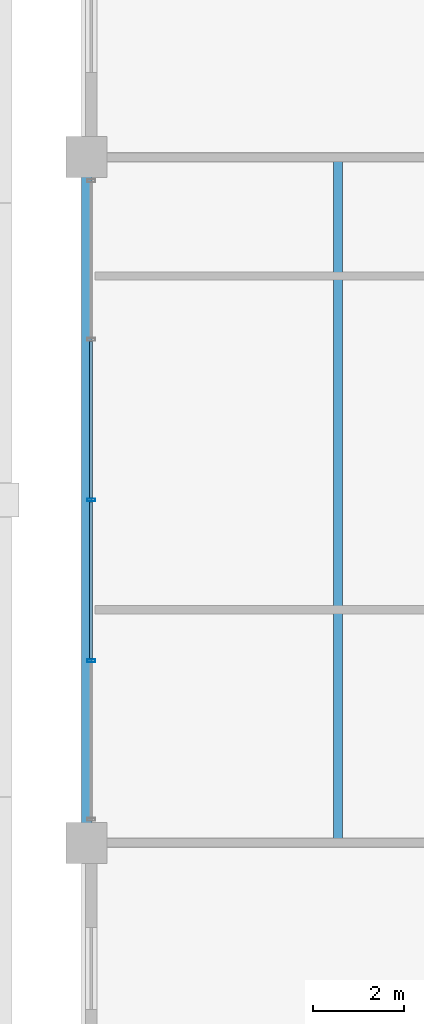
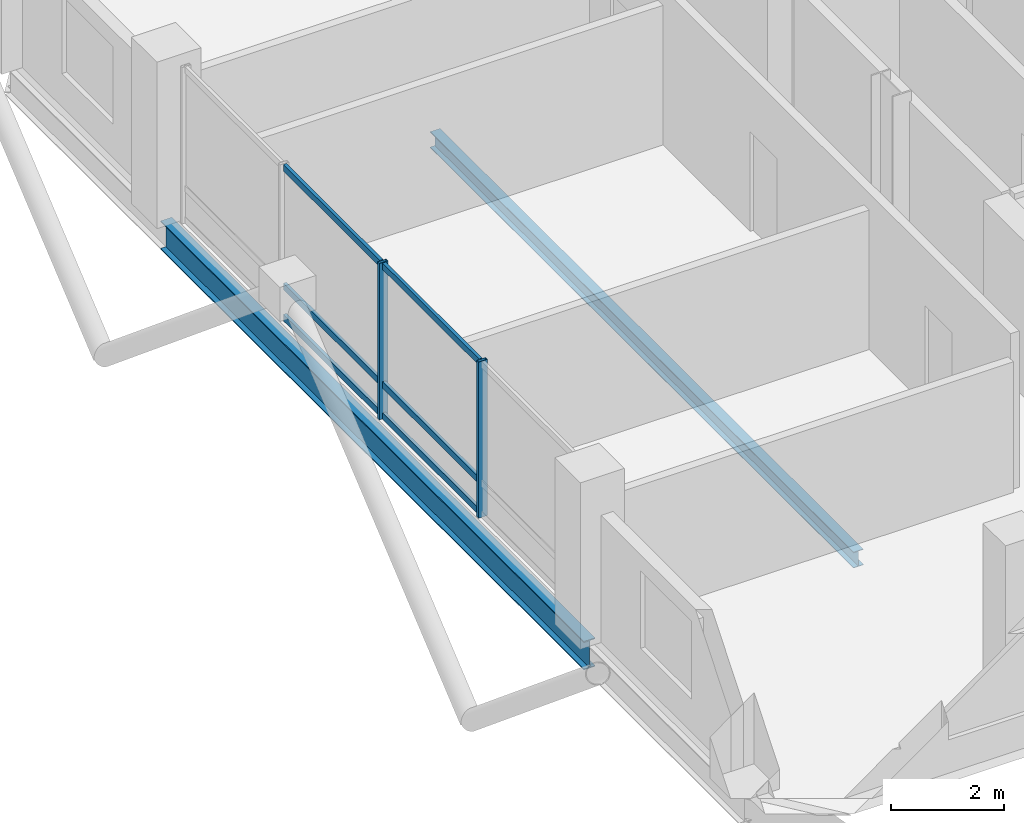
# One storey, part 7 of 22: 8 members, 2 beams, 1 element without a shape of its own.
"""IFC4 building model written with IfcOpenShell, lengths in metres."""

import ifcopenshell
import ifcopenshell.guid

model = None  # the IFC model being written
_history = None  # IfcOwnerHistory: only IFC2X3 demands one
_inside = {}  # id of a spatial element -> (the spatial element, [elements in it])
_under = {}  # id of a project, library or spatial element -> (it, [spatial elements below it])
_declared = {}  # id of a project -> (the project, [libraries it declares])
_typed = {}  # id of a type object -> (the type object, [elements of that type])
_made_of = {}  # id of a material, layer set ... -> (it, [elements and type objects made of it])


def new_model(schema):
    """Start an empty IFC model of exactly this schema.

    Asked for "IFC4X3", IfcOpenShell would pick the latest addendum, in which some entities
    have other attributes; the version numbers below select the first issue.
    IFC2X3 requires an IfcOwnerHistory on every rooted entity: one is made here for all.
    """
    global model, _history
    if schema == "IFC4X3":
        model = ifcopenshell.file(schema_version=(4, 3, 0, 0))
    else:
        model = ifcopenshell.file(schema=schema)
    _inside.clear()
    _under.clear()
    _declared.clear()
    _typed.clear()
    _made_of.clear()
    _history = None
    if model.schema == "IFC2X3":
        org = make("IfcOrganization", Name="unknown")
        user = make(
            "IfcPersonAndOrganization",
            ThePerson=make("IfcPerson", FamilyName="unknown"),
            TheOrganization=org,
        )
        app = make(
            "IfcApplication",
            ApplicationDeveloper=org,
            Version="unknown",
            ApplicationFullName="unknown",
            ApplicationIdentifier="unknown",
        )
        _history = make(
            "IfcOwnerHistory",
            OwningUser=user,
            OwningApplication=app,
            ChangeAction="ADDED",
            CreationDate=0,
        )
    return model


def make(cls, **values):
    """One entity of the class cls with the attributes given. An attribute that is None is left unset."""
    return model.create_entity(
        cls, **{name: value for name, value in values.items() if value is not None}
    )


def rooted(cls, **values):
    """An entity with a GlobalId (a new one), such as an element, a storey or a relation."""
    return make(cls, GlobalId=ifcopenshell.guid.new(), OwnerHistory=_history, **values)


def si_unit(unit_type, name, prefix=None):
    """IfcSIUnit, for example si_unit("LENGTHUNIT", "METRE", prefix="MILLI")."""
    return make("IfcSIUnit", UnitType=unit_type, Prefix=prefix, Name=name)


def assignment(units):
    """IfcUnitAssignment: the units of a project."""
    return None if units is None else make("IfcUnitAssignment", Units=units)


def point(xyz):
    """IfcCartesianPoint."""
    return None if xyz is None else make("IfcCartesianPoint", Coordinates=xyz)


def direction(xyz):
    """IfcDirection."""
    return None if xyz is None else make("IfcDirection", DirectionRatios=xyz)


def frame(location, z_axis=None, x_axis=None):
    """IfcAxis2Placement3D, a coordinate frame: its origin and axes. An axis left out is left unset."""
    return make(
        "IfcAxis2Placement3D",
        Location=point(location),
        Axis=direction(z_axis),
        RefDirection=direction(x_axis),
    )


def frame_2d(location, x_axis=None):
    """IfcAxis2Placement2D, a coordinate frame in the plane: its origin and x axis."""
    return make(
        "IfcAxis2Placement2D", Location=point(location), RefDirection=direction(x_axis)
    )


def origin():
    """The frame at (0, 0, 0) with its axes left unset."""
    return frame((0.0, 0.0, 0.0))


def origin_2d():
    """The frame at (0, 0) in the plane with its x axis left unset."""
    return frame_2d((0.0, 0.0))


def place(relative_to, where):
    """IfcLocalPlacement: puts the frame where relative to a parent placement (None: the world)."""
    return make(
        "IfcLocalPlacement", PlacementRelTo=relative_to, RelativePlacement=where
    )


def context(
    kind, dimensions, precision=None, world=None, true_north=None, identifier=None
):
    """IfcGeometricRepresentationContext, for example the 3D "Model" context."""
    return make(
        "IfcGeometricRepresentationContext",
        ContextIdentifier=identifier,
        ContextType=kind,
        CoordinateSpaceDimension=dimensions,
        Precision=precision,
        WorldCoordinateSystem=world,
        TrueNorth=true_north,
    )


def subcontext(parent, identifier, kind, view, scale=None):
    """IfcGeometricRepresentationSubContext, for example "Body" below "Model"."""
    return make(
        "IfcGeometricRepresentationSubContext",
        ContextIdentifier=identifier,
        ContextType=kind,
        ParentContext=parent,
        TargetScale=scale,
        TargetView=view,
    )


def project(units=None, contexts=None):
    """IfcProject with its units and contexts."""
    return rooted(
        "IfcProject",
        Name="project",
        RepresentationContexts=contexts,
        UnitsInContext=assignment(units),
    )


def spatial(cls, under=None, at=None, **own):
    """A site, building, storey or space (cls), placed at a placement, below another one or the project."""
    s = rooted(cls, ObjectPlacement=at, **own)
    if under is not None:
        _under.setdefault(under.id(), (under, []))[1].append(s)
    return s


def profile(cls, at=None, kind="AREA", **sizes):
    """A parametric profile (cls). Its sizes go by their IFC names, for example OverallWidth=200.0."""
    return make(cls, ProfileType=kind, Position=at, **sizes)


def hollow_rectangle(**sizes):
    """IfcRectangleHollowProfileDef."""
    return profile("IfcRectangleHollowProfileDef", **sizes)


def i_section(**sizes):
    """IfcIShapeProfileDef."""
    return profile("IfcIShapeProfileDef", **sizes)


def extrude(swept, where, along, depth):
    """IfcExtrudedAreaSolid: the profile swept, set in the frame where, extruded along a direction by depth."""
    return make(
        "IfcExtrudedAreaSolid",
        SweptArea=swept,
        Position=where,
        ExtrudedDirection=direction(along),
        Depth=depth,
    )


def shape(context_of_items, identifier, shape_type, items):
    """IfcShapeRepresentation: the items that make up one representation, for example the "Body"."""
    return make(
        "IfcShapeRepresentation",
        ContextOfItems=context_of_items,
        RepresentationIdentifier=identifier,
        RepresentationType=shape_type,
        Items=items,
    )


def material(Name=None, Category=None):
    """IfcMaterial."""
    return make("IfcMaterial", Name=Name, Category=Category)


def layer(
    of_material, thickness, ventilated=None, Name=None, Category=None, Priority=None
):
    """IfcMaterialLayer: one layer of a wall or slab, of a material (None: an air gap)."""
    return make(
        "IfcMaterialLayer",
        Material=of_material,
        LayerThickness=thickness,
        IsVentilated=ventilated,
        Name=Name,
        Category=Category,
        Priority=Priority,
    )


def layer_set(layers, Name=None):
    """IfcMaterialLayerSet."""
    return make("IfcMaterialLayerSet", MaterialLayers=layers, LayerSetName=Name)


def material_profile(
    of_material, cross_section, Name=None, Category=None, Priority=None
):
    """IfcMaterialProfile: a cross section and its material."""
    return make(
        "IfcMaterialProfile",
        Name=Name,
        Material=of_material,
        Profile=cross_section,
        Priority=Priority,
        Category=Category,
    )


def profile_set(profiles, Name=None, composite=None):
    """IfcMaterialProfileSet."""
    return make(
        "IfcMaterialProfileSet",
        Name=Name,
        MaterialProfiles=profiles,
        CompositeProfile=composite,
    )


def made_of(thing, what):
    """Note that an element or type object is made of a material, layer set ...; save() writes the relation."""
    if what is not None:
        _made_of.setdefault(what.id(), (what, []))[1].append(thing)
    return thing


def type_object(cls, material=None, **own):
    """A type object (cls), such as IfcWallType, which elements share."""
    return made_of(rooted(cls, **own), material)


def element(
    cls,
    number,
    at=None,
    inside=None,
    cuts=None,
    type_object=None,
    material=None,
    context=None,
    identifier="Body",
    shape_type=None,
    held_by="IfcProductDefinitionShape",
    body=None,
    shapes=None,
    **own,
):
    """One element of the class cls, such as IfcWall. Its Tag is "e" and its number.

    at: its placement. inside: the storey or other place that contains it. cuts: it is an
    opening in that element (IfcRelVoidsElement). A single representation is given by context,
    identifier, shape_type and body (its items); several are given by shapes. held_by: the class
    of the entity that holds the representations. save() writes the other relations.
    """
    e = rooted(cls, Tag="e%d" % number, ObjectPlacement=at, **own)
    if body is not None:
        shapes = [shape(context, identifier, shape_type, body)]
    if shapes is not None:
        e.Representation = make(held_by, Representations=shapes)
    if inside is not None:
        _inside.setdefault(inside.id(), (inside, []))[1].append(e)
    if cuts is not None:
        rooted(
            "IfcRelVoidsElement", RelatingBuildingElement=cuts, RelatedOpeningElement=e
        )
    if type_object is not None:
        _typed.setdefault(type_object.id(), (type_object, []))[1].append(e)
    return made_of(e, material)


def aggregate(whole, parts):
    """IfcRelAggregates: a whole, such as a stair, and the parts it consists of."""
    return rooted("IfcRelAggregates", RelatingObject=whole, RelatedObjects=parts)


def save(model, path):
    """Write the relations noted so far, then the file.

    IfcRelAggregates (storeys below a building ...), IfcRelContainedInSpatialStructure (elements
    in a storey), IfcRelDefinesByType, IfcRelAssociatesMaterial and IfcRelDeclares: one each for
    every whole, place, type object, material and project.
    """
    for whole, parts in _under.values():
        aggregate(whole, parts)
    for where, things in _inside.values():
        rooted(
            "IfcRelContainedInSpatialStructure",
            RelatedElements=things,
            RelatingStructure=where,
        )
    for kind, things in _typed.values():
        rooted("IfcRelDefinesByType", RelatedObjects=things, RelatingType=kind)
    for what, things in _made_of.values():
        rooted("IfcRelAssociatesMaterial", RelatedObjects=things, RelatingMaterial=what)
    for by, libraries in _declared.values():
        rooted("IfcRelDeclares", RelatingContext=by, RelatedDefinitions=libraries)
    model.write(path)


model = new_model("IFC4")

# Units and contexts
model_context = context("Model", 3, precision=1e-05, world=origin(), true_north=direction((0.0, 1.0)))
body_context = subcontext(model_context, "Body", "Model", "MODEL_VIEW")
ifc_project = project(units=[si_unit("LENGTHUNIT", "METRE"), si_unit("AREAUNIT", "SQUARE_METRE"), si_unit("VOLUMEUNIT", "CUBIC_METRE"), si_unit("PLANEANGLEUNIT", "RADIAN"), si_unit("MASSUNIT", "GRAM", prefix="KILO")], contexts=[model_context])

# Site, building, storey
site_placement = place(None, origin())
site = spatial("IfcSite", under=ifc_project, at=site_placement, CompositionType="ELEMENT")
building_placement = place(site_placement, origin())
building = spatial("IfcBuilding", under=site, at=building_placement, Name="Barlavira Tower and Art Museum", CompositionType="ELEMENT")
storey_placement = place(building_placement, frame((0.0, 0.0, 269.10009765625)))
storey = spatial("IfcBuildingStorey", under=building, at=storey_placement, Name="L70", CompositionType="ELEMENT", Elevation=269.10009765625)

# Curtain wall, members
ifc_material_1 = material(Name="Low-iron coastal laminated glass", Category="glass")
ifc_layer = layer(ifc_material_1, 0.2099609375, Name="Low-iron coastal laminated glass")
ifc_layer_set = layer_set([ifc_layer], Name="Low-iron coastal laminated glass")
curtain_wall_type = type_object("IfcCurtainWallType", Name="Pale-Metal Unitised Curtain Wall Zone 4", PredefinedType="NOTDEFINED", material=ifc_layer_set)
curtain_wall_placement = place(storey_placement, origin())
curtain_wall = element("IfcCurtainWall", 1, at=curtain_wall_placement, inside=storey, type_object=curtain_wall_type, Name="L70 Curtain Wall CW4-L70-W-B3", PredefinedType="NOTDEFINED")
ifc_material_2 = material(Name="Pale anodised aluminium", Category="aluminium")
ifc_material_profile_1 = material_profile(ifc_material_2, hollow_rectangle(XDim=0.06494140625, YDim=0.179931640625, WallThickness=0.00390625, at=origin_2d()), Name="ALU-MULL 65x180x4")
ifc_profile_set_1 = profile_set([ifc_material_profile_1], Name="Pale anodised aluminium")
member_type_1 = type_object("IfcMemberType", Name="Curtain Wall Pale-Metal Mullion 65x180", PredefinedType="MULLION", material=ifc_profile_set_1)
member_1_placement = place(storey_placement, frame((-16.89990234375, 0.0, 0.0), z_axis=(0.0, 0.0, 1.0), x_axis=(0.0, -1.0, 0.0)))
member_1 = element("IfcMember", 2, at=member_1_placement, type_object=member_type_1, Name="CW4-L70-W-B3 Mullion 2", PredefinedType="MULLION", context=body_context, shape_type="SweptSolid", body=[
    extrude(hollow_rectangle(XDim=0.06494140625, YDim=0.179931640625, WallThickness=0.00390625, at=origin_2d()), origin(), (0.0, 0.0, 1.0), 3.3798828125),
])
member_2_placement = place(storey_placement, frame((-16.89990234375, -3.514892578125, 0.0), z_axis=(0.0, 0.0, 1.0), x_axis=(0.0, -1.0, 0.0)))
member_2 = element("IfcMember", 3, at=member_2_placement, type_object=member_type_1, Name="CW4-L70-W-B3 Mullion 3", PredefinedType="MULLION", context=body_context, shape_type="SweptSolid", body=[
    extrude(hollow_rectangle(XDim=0.06494140625, YDim=0.179931640625, WallThickness=0.00390625, at=origin_2d()), origin(), (0.0, 0.0, 1.0), 3.3798828125),
])
ifc_material_profile_2 = material_profile(ifc_material_2, hollow_rectangle(XDim=0.06494140625, YDim=0.139892578125, WallThickness=0.00390625, at=origin_2d()), Name="ALU-TRAN 65x140x4")
ifc_profile_set_2 = profile_set([ifc_material_profile_2], Name="Pale anodised aluminium")
member_type_2 = type_object("IfcMemberType", Name="Curtain Wall Pale-Metal Transom 65x140", PredefinedType="USERDEFINED", material=ifc_profile_set_2)
member_3_placement = place(storey_placement, frame((-16.89990234375, 3.469970703125, 0.06982421875), z_axis=(0.0, -1.0, 0.0), x_axis=(1.0, 0.0, 0.0)))
member_3 = element("IfcMember", 4, at=member_3_placement, type_object=member_type_2, Name="CW4-L70-W-B3 Transom 1.1", ObjectType="TRANSOM", PredefinedType="USERDEFINED", context=body_context, shape_type="SweptSolid", body=[
    extrude(hollow_rectangle(XDim=0.06494140625, YDim=0.139892578125, WallThickness=0.00390625, at=origin_2d()), origin(), (0.0, 0.0, 1.0), 3.425048828125),
])
member_4_placement = place(storey_placement, frame((-16.89990234375, 3.469970703125, 0.743896484375), z_axis=(0.0, -1.0, 0.0), x_axis=(1.0, 0.0, 0.0)))
member_4 = element("IfcMember", 5, at=member_4_placement, type_object=member_type_2, Name="CW4-L70-W-B3 Transom 1.2", ObjectType="TRANSOM", PredefinedType="USERDEFINED", context=body_context, shape_type="SweptSolid", body=[
    extrude(hollow_rectangle(XDim=0.06494140625, YDim=0.139892578125, WallThickness=0.00390625, at=origin_2d()), origin(), (0.0, 0.0, 1.0), 3.425048828125),
])
member_5_placement = place(storey_placement, frame((-16.89990234375, 3.469970703125, 3.309814453125), z_axis=(0.0, -1.0, 0.0), x_axis=(1.0, 0.0, 0.0)))
member_5 = element("IfcMember", 6, at=member_5_placement, type_object=member_type_2, Name="CW4-L70-W-B3 Transom 1.3", ObjectType="TRANSOM", PredefinedType="USERDEFINED", context=body_context, shape_type="SweptSolid", body=[
    extrude(hollow_rectangle(XDim=0.06494140625, YDim=0.139892578125, WallThickness=0.00390625, at=origin_2d()), origin(), (0.0, 0.0, 1.0), 3.425048828125),
])
member_6_placement = place(storey_placement, frame((-16.89990234375, -0.044921875, 0.06982421875), z_axis=(0.0, -1.0, 0.0), x_axis=(1.0, 0.0, 0.0)))
member_6 = element("IfcMember", 7, at=member_6_placement, type_object=member_type_2, Name="CW4-L70-W-B3 Transom 2.1", ObjectType="TRANSOM", PredefinedType="USERDEFINED", context=body_context, shape_type="SweptSolid", body=[
    extrude(hollow_rectangle(XDim=0.06494140625, YDim=0.139892578125, WallThickness=0.00390625, at=origin_2d()), origin(), (0.0, 0.0, 1.0), 3.425048828125),
])
member_7_placement = place(storey_placement, frame((-16.89990234375, -0.044921875, 0.743896484375), z_axis=(0.0, -1.0, 0.0), x_axis=(1.0, 0.0, 0.0)))
member_7 = element("IfcMember", 8, at=member_7_placement, type_object=member_type_2, Name="CW4-L70-W-B3 Transom 2.2", ObjectType="TRANSOM", PredefinedType="USERDEFINED", context=body_context, shape_type="SweptSolid", body=[
    extrude(hollow_rectangle(XDim=0.06494140625, YDim=0.139892578125, WallThickness=0.00390625, at=origin_2d()), origin(), (0.0, 0.0, 1.0), 3.425048828125),
])
member_8_placement = place(storey_placement, frame((-16.89990234375, -0.044921875, 3.309814453125), z_axis=(0.0, -1.0, 0.0), x_axis=(1.0, 0.0, 0.0)))
member_8 = element("IfcMember", 9, at=member_8_placement, type_object=member_type_2, Name="CW4-L70-W-B3 Transom 2.3", ObjectType="TRANSOM", PredefinedType="USERDEFINED", context=body_context, shape_type="SweptSolid", body=[
    extrude(hollow_rectangle(XDim=0.06494140625, YDim=0.139892578125, WallThickness=0.00390625, at=origin_2d()), origin(), (0.0, 0.0, 1.0), 3.425048828125),
])
aggregate(curtain_wall, [member_1, member_2, member_3, member_4, member_5, member_6, member_7, member_8])

# Beams
ifc_material_3 = material(Name="Steel S355", Category="steel")
ifc_material_profile_3 = material_profile(ifc_material_3, i_section(OverallWidth=0.22998046875, OverallDepth=0.616943359375, WebThickness=0.01318359375, FlangeThickness=0.022216796875, at=origin_2d()), Name="W610x140.0")
ifc_profile_set_3 = profile_set([ifc_material_profile_3], Name="Steel S355")
beam_type_1 = type_object("IfcBeamType", Name="Upper Shaft Spandrel Edge Beam W610x140 Steel S355", PredefinedType="SPANDREL", material=ifc_profile_set_3)
beam_1_placement = place(storey_placement, frame((-17.0, -7.5, -0.528564453125), z_axis=(0.0, 1.0, 0.0), x_axis=(-1.0, 0.0, 0.0)))
element("IfcBeam", 10, at=beam_1_placement, inside=storey, type_object=beam_type_1, Name="L70 Spandrel 14", PredefinedType="SPANDREL", context=body_context, shape_type="SweptSolid", body=[
    extrude(i_section(OverallWidth=0.22998046875, OverallDepth=0.616943359375, WebThickness=0.01318359375, FlangeThickness=0.022216796875, at=origin_2d()), origin(), (0.0, 0.0, 1.0), 15.0),
])
ifc_material_profile_4 = material_profile(ifc_material_3, i_section(OverallWidth=0.202880859375, OverallDepth=0.346923828125, WebThickness=0.0078125, FlangeThickness=0.013427734375, at=origin_2d()), Name="W360x64.0")
ifc_profile_set_4 = profile_set([ifc_material_profile_4], Name="Steel S355")
beam_type_2 = type_object("IfcBeamType", Name="Zone 4 Composite Floor Joist W360x64 Steel S355", PredefinedType="JOIST", material=ifc_profile_set_4)
beam_2_placement = place(storey_placement, frame((-11.5, -7.5, -0.3935546875), z_axis=(0.0, 1.0, 0.0), x_axis=(-1.0, 0.0, 0.0)))
element("IfcBeam", 11, at=beam_2_placement, inside=storey, type_object=beam_type_2, Name="L70 Joist W1", PredefinedType="JOIST", context=body_context, shape_type="SweptSolid", body=[
    extrude(i_section(OverallWidth=0.202880859375, OverallDepth=0.346923828125, WebThickness=0.0078125, FlangeThickness=0.013427734375, at=origin_2d()), origin(), (0.0, 0.0, 1.0), 15.0),
])

save(model, "model.ifc")
